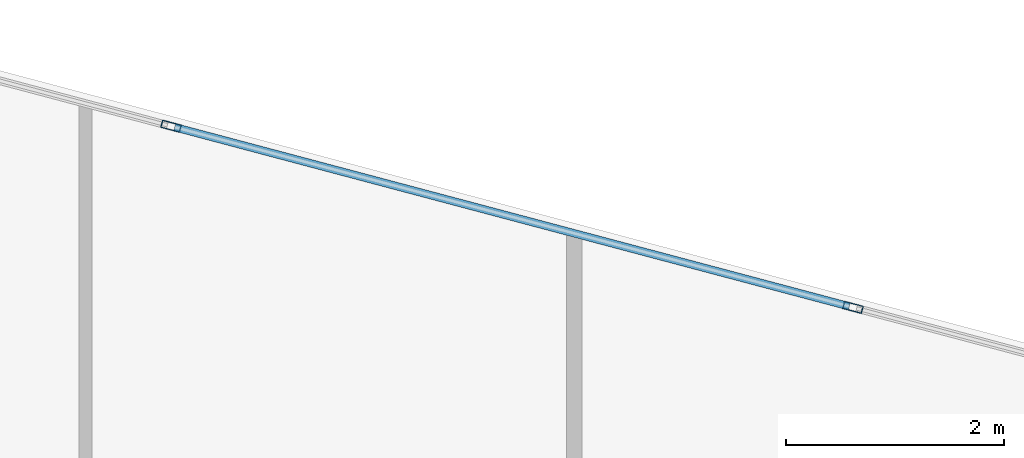
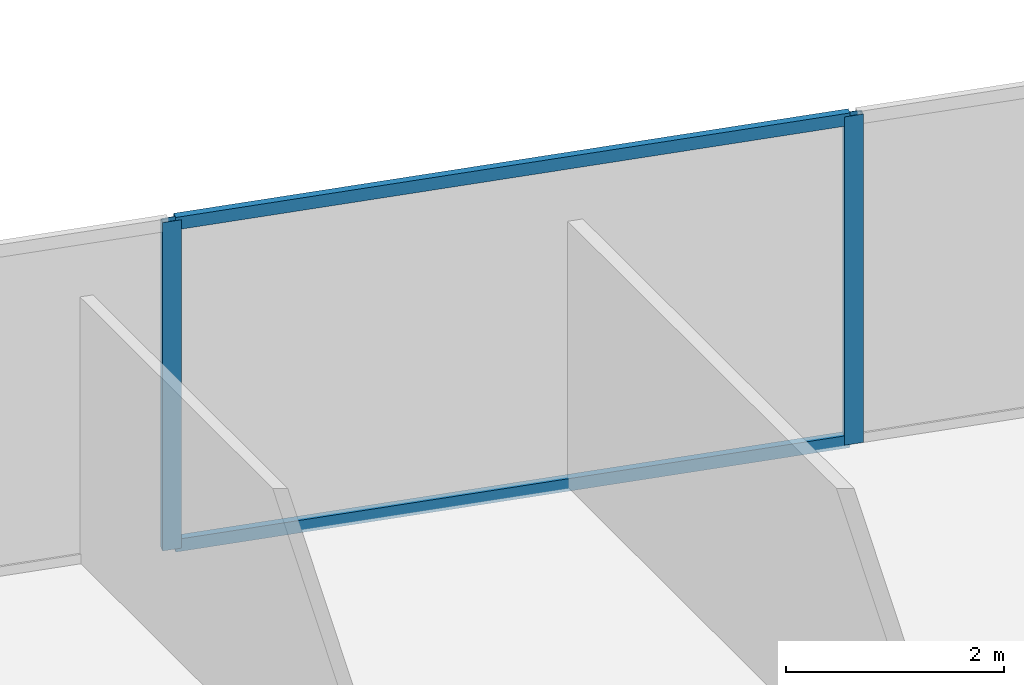
# One storey, part 21 of 27: 4 members, 1 element without a shape of its own.
"""IFC4 building model written with IfcOpenShell, lengths in metres."""

from ifc_helpers import new_model, si_unit, direction, frame, origin, origin_2d, place, context, subcontext, project, spatial, hollow_rectangle, extrude, source, transform, mapped, material, material_profile, profile_set, type_object, type_shapes, element, aggregate, save


model = new_model("IFC4")

# Units and contexts
model_context = context("Model", 3, precision=1e-05, world=origin(), true_north=direction((0.0, 1.0)))
body_context = subcontext(model_context, "Body", "Model", "MODEL_VIEW")
ifc_project = project(units=[si_unit("LENGTHUNIT", "METRE"), si_unit("AREAUNIT", "SQUARE_METRE"), si_unit("VOLUMEUNIT", "CUBIC_METRE"), si_unit("PLANEANGLEUNIT", "RADIAN"), si_unit("MASSUNIT", "GRAM", prefix="KILO")], contexts=[model_context])

# Site, building, storey
site_placement = place(None, origin())
site = spatial("IfcSite", under=ifc_project, at=site_placement, CompositionType="ELEMENT")
building_placement = place(site_placement, origin())
building = spatial("IfcBuilding", under=site, at=building_placement, Name="Krantzveldt Concourse Tower", CompositionType="ELEMENT")
storey_placement = place(building_placement, frame((0.0, 0.0, 105.85009765625)))
storey = spatial("IfcBuildingStorey", under=building, at=storey_placement, Name="L25", CompositionType="ELEMENT", Elevation=105.85009765625)

# Curtain wall, members
ifc_material = material(Name="Anodised aluminium 6063-T6", Category="aluminium")
curtain_wall_type = type_object("IfcCurtainWallType", Name="CW2", PredefinedType="USERDEFINED", material=ifc_material)
curtain_wall_placement = place(storey_placement, origin())
curtain_wall = element("IfcCurtainWall", 1, at=curtain_wall_placement, inside=storey, type_object=curtain_wall_type, Name="CW-L25-F14", ObjectType="UNITISED CURTAIN WALL", PredefinedType="USERDEFINED")
ifc_material_profile_1 = material_profile(ifc_material, hollow_rectangle(XDim=0.070068359375, YDim=0.179931640625, WallThickness=0.0048828125, at=origin_2d()), Name="Anodised aluminium 6063-T6", Category="aluminium")
ifc_profile_set_1 = profile_set([ifc_material_profile_1], Name="Anodised aluminium 6063-T6 - ALU-MULL 180x70x5")
member_type_1 = type_object("IfcMemberType", Name="CW-MUL-180", PredefinedType="MULLION", material=ifc_profile_set_1)
shared_shape_1 = source(origin(), body_context, "Body", "SweptSolid", [
    extrude(hollow_rectangle(XDim=0.070068359375, YDim=0.179931640625, WallThickness=0.0048828125, at=origin_2d()), origin(), (0.0, 0.0, 1.0), 3.669921875),
])
type_shapes(member_type_1, [shared_shape_1])
member_1_placement = place(storey_placement, frame((48.23388671875, 47.56884765625, 0.0), z_axis=(0.0, 0.0, 1.0), x_axis=(-0.256711093648, -0.966488186373, 0.0)))
member_1 = element("IfcMember", 2, at=member_1_placement, type_object=member_type_1, Name="CW-Z12 mullion 3", PredefinedType="MULLION", context=body_context, shape_type="MappedRepresentation", body=[
    mapped(shared_shape_1, transform((0.0, 0.0, 0.0), x_axis=(1.0, 0.0, 0.0), y_axis=(0.0, 1.0, 0.0), z_axis=(0.0, 0.0, 1.0), scale=1.0)),
])
member_2_placement = place(storey_placement, frame((41.98388671875, 49.228759765625, 0.0), z_axis=(0.0, 0.0, 1.0), x_axis=(-0.256711093648, -0.966488186373, 0.0)))
member_2 = element("IfcMember", 3, at=member_2_placement, type_object=member_type_1, Name="CW-Z12 mullion 4", PredefinedType="MULLION", context=body_context, shape_type="MappedRepresentation", body=[
    mapped(shared_shape_1, transform((0.0, 0.0, 0.0), x_axis=(1.0, 0.0, 0.0), y_axis=(0.0, 1.0, 0.0), z_axis=(0.0, 0.0, 1.0), scale=1.0)),
])
ifc_material_profile_2 = material_profile(ifc_material, hollow_rectangle(XDim=0.070068359375, YDim=0.139892578125, WallThickness=0.0048828125, at=origin_2d()), Name="Anodised aluminium 6063-T6", Category="aluminium")
ifc_profile_set_2 = profile_set([ifc_material_profile_2], Name="Anodised aluminium 6063-T6 - ALU-TRAN 140x70x5")
member_type_2 = type_object("IfcMemberType", Name="CW-TRN-150", PredefinedType="USERDEFINED", material=ifc_profile_set_2)
shared_shape_2 = source(origin(), body_context, "Body", "SweptSolid", [
    extrude(hollow_rectangle(XDim=0.070068359375, YDim=0.139892578125, WallThickness=0.0048828125, at=origin_2d()), origin(), (0.0, 0.0, 1.0), 6.396484375),
])
type_shapes(member_type_2, [shared_shape_2])
member_3_placement = place(storey_placement, frame((48.199951171875, 47.577880859375, 0.034912109375), z_axis=(-0.966486606622, 0.256717041156, 0.0), x_axis=(-0.256717041156, -0.966486606622, 0.0)))
member_3 = element("IfcMember", 4, at=member_3_placement, type_object=member_type_2, Name="CW-Z12 transom 3.1", ObjectType="TRANSOM", PredefinedType="USERDEFINED", context=body_context, shape_type="MappedRepresentation", body=[
    mapped(shared_shape_2, transform((0.0, 0.0, 0.0), x_axis=(1.0, 0.0, 0.0), y_axis=(0.0, 1.0, 0.0), z_axis=(0.0, 0.0, 1.0), scale=1.0)),
])
member_4_placement = place(storey_placement, frame((48.199951171875, 47.577880859375, 3.635009765625), z_axis=(-0.966486606622, 0.256717041156, 0.0), x_axis=(-0.256717041156, -0.966486606622, 0.0)))
member_4 = element("IfcMember", 5, at=member_4_placement, type_object=member_type_2, Name="CW-Z12 transom 3.2", ObjectType="TRANSOM", PredefinedType="USERDEFINED", context=body_context, shape_type="MappedRepresentation", body=[
    mapped(shared_shape_2, transform((0.0, 0.0, 0.0), x_axis=(1.0, 0.0, 0.0), y_axis=(0.0, 1.0, 0.0), z_axis=(0.0, 0.0, 1.0), scale=1.0)),
])
aggregate(curtain_wall, [member_1, member_2, member_3, member_4])

save(model, "model.ifc")
